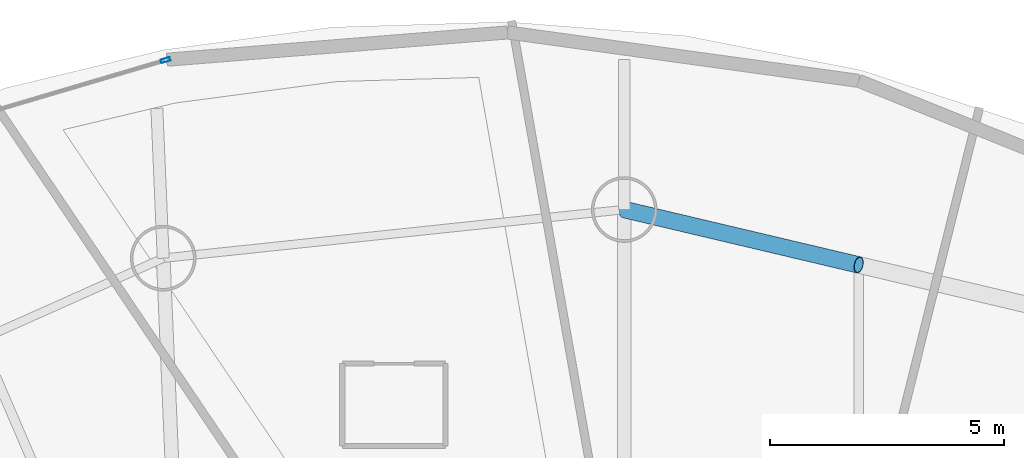
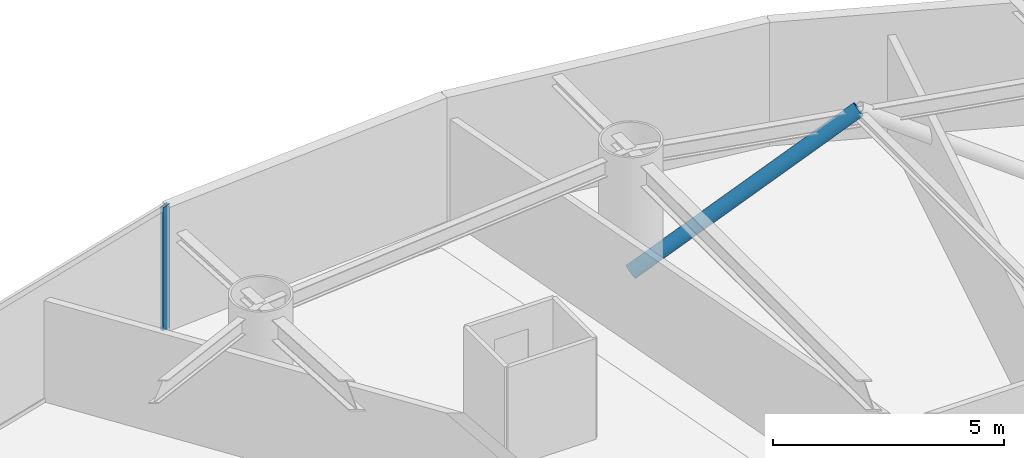
# One storey, part 13 of 24: 2 members, 1 element without a shape of its own.
"""IFC4 building model written with IfcOpenShell, lengths in metres."""

import ifcopenshell
import ifcopenshell.guid

model = None  # the IFC model being written
_history = None  # IfcOwnerHistory: only IFC2X3 demands one
_inside = {}  # id of a spatial element -> (the spatial element, [elements in it])
_under = {}  # id of a project, library or spatial element -> (it, [spatial elements below it])
_declared = {}  # id of a project -> (the project, [libraries it declares])
_typed = {}  # id of a type object -> (the type object, [elements of that type])
_made_of = {}  # id of a material, layer set ... -> (it, [elements and type objects made of it])


def new_model(schema):
    """Start an empty IFC model of exactly this schema.

    Asked for "IFC4X3", IfcOpenShell would pick the latest addendum, in which some entities
    have other attributes; the version numbers below select the first issue.
    IFC2X3 requires an IfcOwnerHistory on every rooted entity: one is made here for all.
    """
    global model, _history
    if schema == "IFC4X3":
        model = ifcopenshell.file(schema_version=(4, 3, 0, 0))
    else:
        model = ifcopenshell.file(schema=schema)
    _inside.clear()
    _under.clear()
    _declared.clear()
    _typed.clear()
    _made_of.clear()
    _history = None
    if model.schema == "IFC2X3":
        org = make("IfcOrganization", Name="unknown")
        user = make(
            "IfcPersonAndOrganization",
            ThePerson=make("IfcPerson", FamilyName="unknown"),
            TheOrganization=org,
        )
        app = make(
            "IfcApplication",
            ApplicationDeveloper=org,
            Version="unknown",
            ApplicationFullName="unknown",
            ApplicationIdentifier="unknown",
        )
        _history = make(
            "IfcOwnerHistory",
            OwningUser=user,
            OwningApplication=app,
            ChangeAction="ADDED",
            CreationDate=0,
        )
    return model


def make(cls, **values):
    """One entity of the class cls with the attributes given. An attribute that is None is left unset."""
    return model.create_entity(
        cls, **{name: value for name, value in values.items() if value is not None}
    )


def rooted(cls, **values):
    """An entity with a GlobalId (a new one), such as an element, a storey or a relation."""
    return make(cls, GlobalId=ifcopenshell.guid.new(), OwnerHistory=_history, **values)


def si_unit(unit_type, name, prefix=None):
    """IfcSIUnit, for example si_unit("LENGTHUNIT", "METRE", prefix="MILLI")."""
    return make("IfcSIUnit", UnitType=unit_type, Prefix=prefix, Name=name)


def assignment(units):
    """IfcUnitAssignment: the units of a project."""
    return None if units is None else make("IfcUnitAssignment", Units=units)


def point(xyz):
    """IfcCartesianPoint."""
    return None if xyz is None else make("IfcCartesianPoint", Coordinates=xyz)


def direction(xyz):
    """IfcDirection."""
    return None if xyz is None else make("IfcDirection", DirectionRatios=xyz)


def frame(location, z_axis=None, x_axis=None):
    """IfcAxis2Placement3D, a coordinate frame: its origin and axes. An axis left out is left unset."""
    return make(
        "IfcAxis2Placement3D",
        Location=point(location),
        Axis=direction(z_axis),
        RefDirection=direction(x_axis),
    )


def frame_2d(location, x_axis=None):
    """IfcAxis2Placement2D, a coordinate frame in the plane: its origin and x axis."""
    return make(
        "IfcAxis2Placement2D", Location=point(location), RefDirection=direction(x_axis)
    )


def origin():
    """The frame at (0, 0, 0) with its axes left unset."""
    return frame((0.0, 0.0, 0.0))


def origin_2d():
    """The frame at (0, 0) in the plane with its x axis left unset."""
    return frame_2d((0.0, 0.0))


def place(relative_to, where):
    """IfcLocalPlacement: puts the frame where relative to a parent placement (None: the world)."""
    return make(
        "IfcLocalPlacement", PlacementRelTo=relative_to, RelativePlacement=where
    )


def context(
    kind, dimensions, precision=None, world=None, true_north=None, identifier=None
):
    """IfcGeometricRepresentationContext, for example the 3D "Model" context."""
    return make(
        "IfcGeometricRepresentationContext",
        ContextIdentifier=identifier,
        ContextType=kind,
        CoordinateSpaceDimension=dimensions,
        Precision=precision,
        WorldCoordinateSystem=world,
        TrueNorth=true_north,
    )


def subcontext(parent, identifier, kind, view, scale=None):
    """IfcGeometricRepresentationSubContext, for example "Body" below "Model"."""
    return make(
        "IfcGeometricRepresentationSubContext",
        ContextIdentifier=identifier,
        ContextType=kind,
        ParentContext=parent,
        TargetScale=scale,
        TargetView=view,
    )


def project(units=None, contexts=None):
    """IfcProject with its units and contexts."""
    return rooted(
        "IfcProject",
        Name="project",
        RepresentationContexts=contexts,
        UnitsInContext=assignment(units),
    )


def spatial(cls, under=None, at=None, **own):
    """A site, building, storey or space (cls), placed at a placement, below another one or the project."""
    s = rooted(cls, ObjectPlacement=at, **own)
    if under is not None:
        _under.setdefault(under.id(), (under, []))[1].append(s)
    return s


def profile(cls, at=None, kind="AREA", **sizes):
    """A parametric profile (cls). Its sizes go by their IFC names, for example OverallWidth=200.0."""
    return make(cls, ProfileType=kind, Position=at, **sizes)


def hollow_rectangle(**sizes):
    """IfcRectangleHollowProfileDef."""
    return profile("IfcRectangleHollowProfileDef", **sizes)


def hollow_circle(**sizes):
    """IfcCircleHollowProfileDef."""
    return profile("IfcCircleHollowProfileDef", **sizes)


def extrude(swept, where, along, depth):
    """IfcExtrudedAreaSolid: the profile swept, set in the frame where, extruded along a direction by depth."""
    return make(
        "IfcExtrudedAreaSolid",
        SweptArea=swept,
        Position=where,
        ExtrudedDirection=direction(along),
        Depth=depth,
    )


def shape(context_of_items, identifier, shape_type, items):
    """IfcShapeRepresentation: the items that make up one representation, for example the "Body"."""
    return make(
        "IfcShapeRepresentation",
        ContextOfItems=context_of_items,
        RepresentationIdentifier=identifier,
        RepresentationType=shape_type,
        Items=items,
    )


def material(Name=None, Category=None):
    """IfcMaterial."""
    return make("IfcMaterial", Name=Name, Category=Category)


def layer(
    of_material, thickness, ventilated=None, Name=None, Category=None, Priority=None
):
    """IfcMaterialLayer: one layer of a wall or slab, of a material (None: an air gap)."""
    return make(
        "IfcMaterialLayer",
        Material=of_material,
        LayerThickness=thickness,
        IsVentilated=ventilated,
        Name=Name,
        Category=Category,
        Priority=Priority,
    )


def layer_set(layers, Name=None):
    """IfcMaterialLayerSet."""
    return make("IfcMaterialLayerSet", MaterialLayers=layers, LayerSetName=Name)


def material_profile(
    of_material, cross_section, Name=None, Category=None, Priority=None
):
    """IfcMaterialProfile: a cross section and its material."""
    return make(
        "IfcMaterialProfile",
        Name=Name,
        Material=of_material,
        Profile=cross_section,
        Priority=Priority,
        Category=Category,
    )


def profile_set(profiles, Name=None, composite=None):
    """IfcMaterialProfileSet."""
    return make(
        "IfcMaterialProfileSet",
        Name=Name,
        MaterialProfiles=profiles,
        CompositeProfile=composite,
    )


def made_of(thing, what):
    """Note that an element or type object is made of a material, layer set ...; save() writes the relation."""
    if what is not None:
        _made_of.setdefault(what.id(), (what, []))[1].append(thing)
    return thing


def type_object(cls, material=None, **own):
    """A type object (cls), such as IfcWallType, which elements share."""
    return made_of(rooted(cls, **own), material)


def element(
    cls,
    number,
    at=None,
    inside=None,
    cuts=None,
    type_object=None,
    material=None,
    context=None,
    identifier="Body",
    shape_type=None,
    held_by="IfcProductDefinitionShape",
    body=None,
    shapes=None,
    **own,
):
    """One element of the class cls, such as IfcWall. Its Tag is "e" and its number.

    at: its placement. inside: the storey or other place that contains it. cuts: it is an
    opening in that element (IfcRelVoidsElement). A single representation is given by context,
    identifier, shape_type and body (its items); several are given by shapes. held_by: the class
    of the entity that holds the representations. save() writes the other relations.
    """
    e = rooted(cls, Tag="e%d" % number, ObjectPlacement=at, **own)
    if body is not None:
        shapes = [shape(context, identifier, shape_type, body)]
    if shapes is not None:
        e.Representation = make(held_by, Representations=shapes)
    if inside is not None:
        _inside.setdefault(inside.id(), (inside, []))[1].append(e)
    if cuts is not None:
        rooted(
            "IfcRelVoidsElement", RelatingBuildingElement=cuts, RelatedOpeningElement=e
        )
    if type_object is not None:
        _typed.setdefault(type_object.id(), (type_object, []))[1].append(e)
    return made_of(e, material)


def aggregate(whole, parts):
    """IfcRelAggregates: a whole, such as a stair, and the parts it consists of."""
    return rooted("IfcRelAggregates", RelatingObject=whole, RelatedObjects=parts)


def save(model, path):
    """Write the relations noted so far, then the file.

    IfcRelAggregates (storeys below a building ...), IfcRelContainedInSpatialStructure (elements
    in a storey), IfcRelDefinesByType, IfcRelAssociatesMaterial and IfcRelDeclares: one each for
    every whole, place, type object, material and project.
    """
    for whole, parts in _under.values():
        aggregate(whole, parts)
    for where, things in _inside.values():
        rooted(
            "IfcRelContainedInSpatialStructure",
            RelatedElements=things,
            RelatingStructure=where,
        )
    for kind, things in _typed.values():
        rooted("IfcRelDefinesByType", RelatedObjects=things, RelatingType=kind)
    for what, things in _made_of.values():
        rooted("IfcRelAssociatesMaterial", RelatedObjects=things, RelatingMaterial=what)
    for by, libraries in _declared.values():
        rooted("IfcRelDeclares", RelatingContext=by, RelatedDefinitions=libraries)
    model.write(path)


model = new_model("IFC4")

# Units and contexts
model_context = context("Model", 3, precision=1e-05, world=origin(), true_north=direction((0.0, 1.0)))
body_context = subcontext(model_context, "Body", "Model", "MODEL_VIEW")
ifc_project = project(units=[si_unit("LENGTHUNIT", "METRE"), si_unit("AREAUNIT", "SQUARE_METRE"), si_unit("VOLUMEUNIT", "CUBIC_METRE"), si_unit("PLANEANGLEUNIT", "RADIAN"), si_unit("MASSUNIT", "GRAM", prefix="KILO")], contexts=[model_context])

# Site, building, storey
site_placement = place(None, origin())
site = spatial("IfcSite", under=ifc_project, at=site_placement, CompositionType="ELEMENT")
building_placement = place(site_placement, origin())
building = spatial("IfcBuilding", under=site, at=building_placement, Name="Bramvorn Convention Spire", CompositionType="ELEMENT")
storey_placement = place(building_placement, frame((0.0, 0.0, 148.300048828125)))
storey = spatial("IfcBuildingStorey", under=building, at=storey_placement, Name="L37", CompositionType="ELEMENT", Elevation=148.300048828125)

# Curtain wall, member
ifc_material_1 = material(Name="Anodised Bronze Unitised Curtain Wall", Category="aluminium")
ifc_layer = layer(ifc_material_1, 0.179931640625)
ifc_layer_set = layer_set([ifc_layer], Name="Anodised Bronze Unitised Curtain Wall - CW-HTL-FRIT")
curtain_wall_type = type_object("IfcCurtainWallType", Name="CW-HTL-FRIT", PredefinedType="USERDEFINED", material=ifc_layer_set)
curtain_wall_placement = place(storey_placement, origin())
curtain_wall = element("IfcCurtainWall", 1, at=curtain_wall_placement, inside=storey, type_object=curtain_wall_type, Name="L37 fritted glass curtain wall 10", ObjectType="UNITISED CURTAIN WALL", PredefinedType="USERDEFINED")
ifc_material_2 = material(Name="Anodised Bronze Aluminium 6063-T6", Category="aluminium")
ifc_material_profile_1 = material_profile(ifc_material_2, hollow_rectangle(XDim=0.080078125, YDim=0.199951171875, WallThickness=0.00390625, InnerFilletRadius=0.0009765625, OuterFilletRadius=0.00390625, at=origin_2d()))
ifc_profile_set_1 = profile_set([ifc_material_profile_1], Name="Anodised Bronze Aluminium 6063-T6 - CWM80X200")
member_type_1 = type_object("IfcMemberType", Name="CW-MUL-180", PredefinedType="MULLION", material=ifc_profile_set_1)
member_1_placement = place(storey_placement, frame((26.287841796875, 49.705810546875, 0.0), z_axis=(0.0, 0.0, 1.0), x_axis=(-0.283385342219, 0.959006125015, 0.0)))
member_1 = element("IfcMember", 2, at=member_1_placement, type_object=member_type_1, Name="CW2 mullion 2", PredefinedType="MULLION", context=body_context, shape_type="SweptSolid", body=[
    extrude(hollow_rectangle(XDim=0.080078125, YDim=0.199951171875, WallThickness=0.00390625, InnerFilletRadius=0.0009765625, OuterFilletRadius=0.00390625, at=origin_2d()), origin(), (0.0, 0.0, 1.0), 3.260009765625),
])
aggregate(curtain_wall, [member_1])

# Member
ifc_material_3 = material(Name="Steel CSA G40.21 Grade 350 (350W)", Category="steel")
ifc_material_profile_2 = material_profile(ifc_material_3, hollow_circle(Radius=0.177734375, WallThickness=0.015869140625, at=origin_2d()))
ifc_profile_set_2 = profile_set([ifc_material_profile_2], Name="Steel CSA G40.21 Grade 350 (350W) - CHS356X16")
member_type_2 = type_object("IfcMemberType", Name="MBR-CHS356X16", PredefinedType="BRACE", material=ifc_profile_set_2)
member_2_placement = place(storey_placement, frame((36.075927734375, 46.517333984375, 0.0), z_axis=(0.82191146009, -0.194108103193, 0.53552179792), x_axis=(0.229843911572, 0.97322750491, 0.0)))
element("IfcMember", 3, at=member_2_placement, inside=storey, type_object=member_type_2, Name="L37 perimeter Gothic lancet brace 5B", PredefinedType="BRACE", context=body_context, shape_type="SweptSolid", body=[
    extrude(hollow_circle(Radius=0.177734375, WallThickness=0.015869140625, at=origin_2d()), origin(), (0.0, 0.0, 1.0), 6.087646484375),
])

save(model, "model.ifc")
